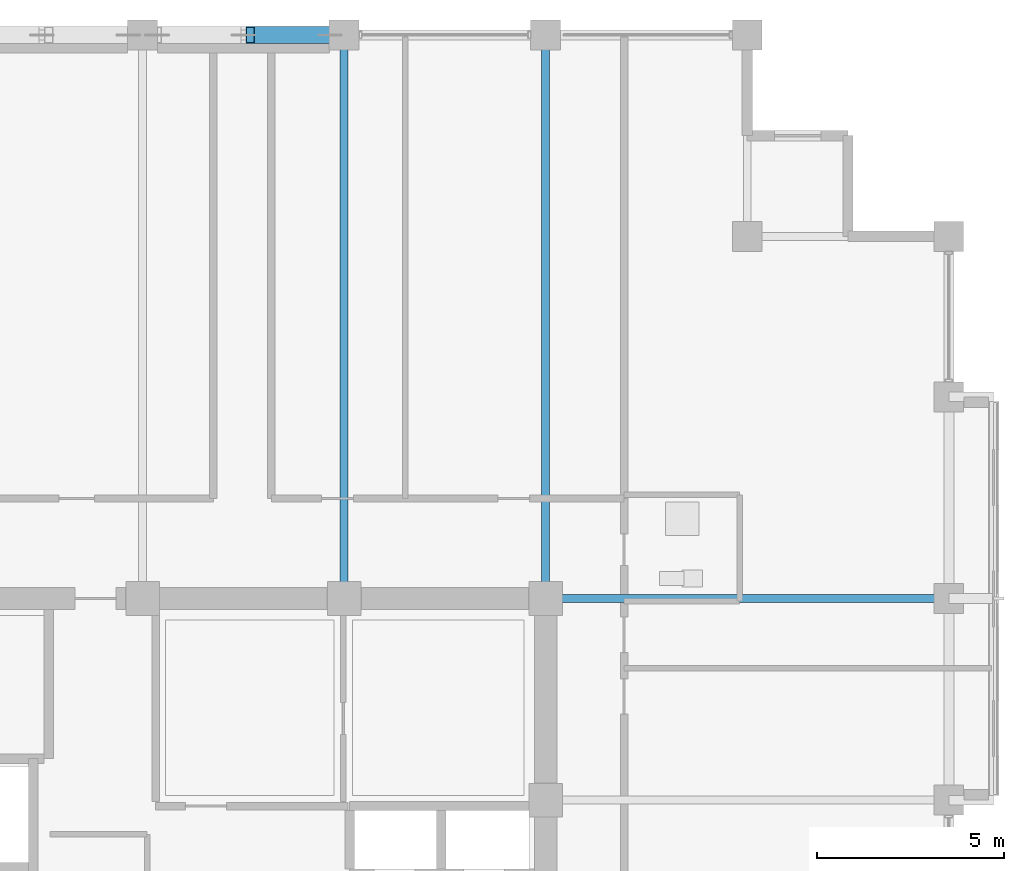
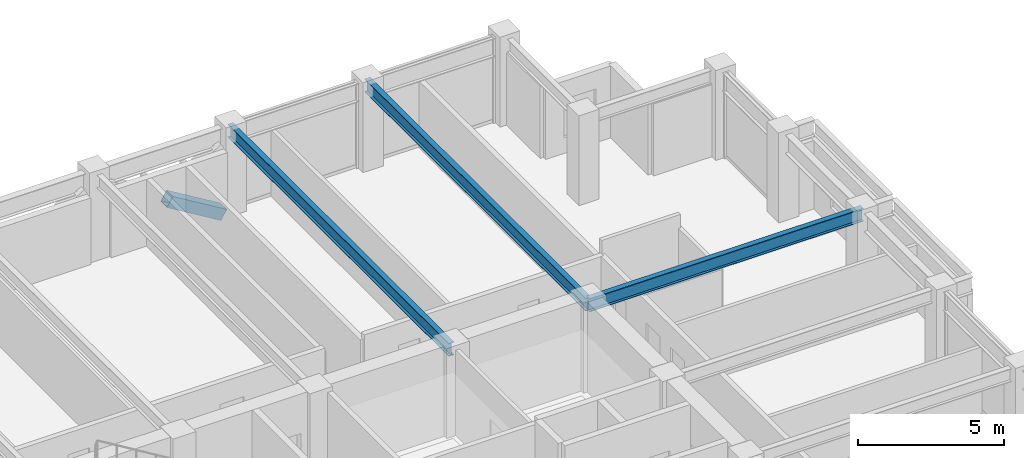
# One storey, part 19 of 30: 3 beams, 1 member.
"""IFC4 building model written with IfcOpenShell, lengths in metres."""

from ifc_helpers import new_model, si_unit, direction, frame, origin, origin_2d, place, context, subcontext, project, spatial, hollow_rectangle, i_section, extrude, material, material_profile, profile_set, type_object, element, save


model = new_model("IFC4")

# Units and contexts
model_context = context("Model", 3, precision=1e-05, world=origin(), true_north=direction((0.0, 1.0)))
body_context = subcontext(model_context, "Body", "Model", "MODEL_VIEW")
ifc_project = project(units=[si_unit("LENGTHUNIT", "METRE"), si_unit("AREAUNIT", "SQUARE_METRE"), si_unit("VOLUMEUNIT", "CUBIC_METRE"), si_unit("PLANEANGLEUNIT", "RADIAN"), si_unit("MASSUNIT", "GRAM", prefix="KILO")], contexts=[model_context])

# Site, building, storey
site_placement = place(None, origin())
site = spatial("IfcSite", under=ifc_project, at=site_placement, CompositionType="ELEMENT")
building_placement = place(site_placement, origin())
building = spatial("IfcBuilding", under=site, at=building_placement, Name="Surkhivell Harbour Commons", CompositionType="ELEMENT")
storey_placement = place(building_placement, frame((0.0, 0.0, 231.0)))
storey = spatial("IfcBuildingStorey", under=building, at=storey_placement, Name="L60", CompositionType="ELEMENT", Elevation=231.0)

# Beams
ifc_material_1 = material(Name="Steel S355", Category="steel")
ifc_material_profile_1 = material_profile(ifc_material_1, i_section(OverallWidth=0.2119140625, OverallDepth=0.5439453125, WebThickness=0.0126953125, FlangeThickness=0.021240234375, at=origin_2d()), Name="UB533x210x122")
ifc_profile_set_1 = profile_set([ifc_material_profile_1], Name="Steel S355")
beam_type = type_object("IfcBeamType", Name="BM-GRD-533A", PredefinedType="BEAM", material=ifc_profile_set_1)
for number, where, z_axis, x_axis, name in (
    (1, (5.39990234375, 10.800048828125, 3.298095703125), (0.0, 1.0, 0.0), (-1.0, 0.0, 0.0), "L60 Floor Girder (5.4,10.8)"),
    (2, (10.800048828125, 10.800048828125, 3.298095703125), (0.0, 1.0, 0.0), (-1.0, 0.0, 0.0), "L60 Floor Girder (10.8,10.8)"),
):
    element("IfcBeam", number, at=place(storey_placement, frame(where, z_axis=z_axis, x_axis=x_axis)), inside=storey, type_object=beam_type, Name=name, PredefinedType="BEAM", context=body_context, shape_type="SweptSolid", body=[
        extrude(i_section(OverallWidth=0.2119140625, OverallDepth=0.5439453125, WebThickness=0.0126953125, FlangeThickness=0.021240234375, at=origin_2d()), origin(), (0.0, 0.0, 1.0), 15.099853515625),
    ])
beam_placement = place(storey_placement, frame((10.800048828125, 10.800048828125, 3.298095703125), z_axis=(1.0, 0.0, 0.0), x_axis=(0.0, 1.0, 0.0)))
element("IfcBeam", 3, at=beam_placement, inside=storey, type_object=beam_type, Name="L60 Floor Girder (10.8,10.8)", PredefinedType="BEAM", context=body_context, shape_type="SweptSolid", body=[
    extrude(i_section(OverallWidth=0.2119140625, OverallDepth=0.5439453125, WebThickness=0.0126953125, FlangeThickness=0.021240234375, at=origin_2d()), origin(), (0.0, 0.0, 1.0), 10.800048828125),
])

# Member
ifc_material_2 = material(Name="Steel S460", Category="steel")
ifc_material_profile_2 = material_profile(ifc_material_2, hollow_rectangle(XDim=0.449951171875, YDim=0.449951171875, WallThickness=0.02197265625, at=origin_2d()), Name="SHS450x450x22")
ifc_profile_set_2 = profile_set([ifc_material_profile_2], Name="Steel S460")
member_type = type_object("IfcMemberType", Name="MEM-BRC-SHS450", PredefinedType="BRACE", material=ifc_profile_set_2)
member_placement = place(storey_placement, frame((5.014892578125, 25.89990234375, 0.008056640625), z_axis=(-0.856034952881, 0.0, 0.516917942662), x_axis=(0.0, -1.0, 0.0)))
element("IfcMember", 4, at=member_placement, inside=storey, type_object=member_type, Name="L60 Perimeter Mega-Brace MB- 05", PredefinedType="BRACE", context=body_context, shape_type="SweptSolid", body=[
    extrude(hollow_rectangle(XDim=0.449951171875, YDim=0.449951171875, WallThickness=0.02197265625, at=origin_2d()), origin(), (0.0, 0.0, 1.0), 2.488037109375),
])

save(model, "model.ifc")
